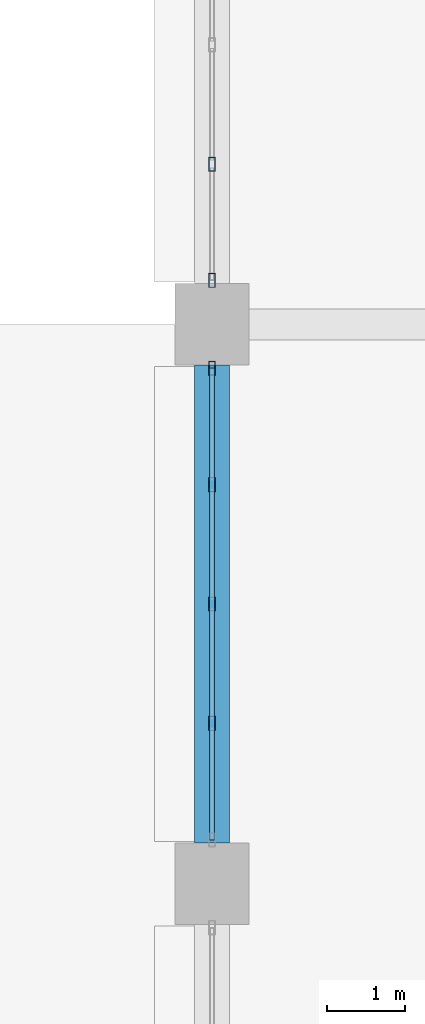
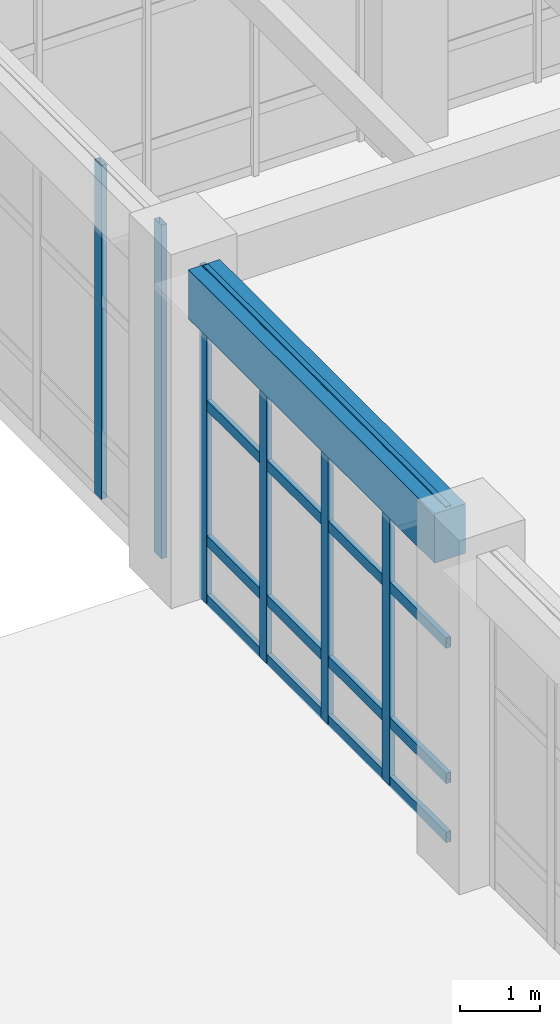
# One storey, part 41 of 160: 10 members, 1 beam, 2 elements without a shape of their own.
"""IFC4 building model written with IfcOpenShell, lengths in metres."""

from ifc_helpers import new_model, si_unit, direction, frame, origin, origin_2d, place, context, subcontext, project, spatial, rectangle, hollow_rectangle, extrude, material, material_profile, profile_set, type_object, element, aggregate, save


model = new_model("IFC4")

# Units and contexts
model_context = context("Model", 3, precision=1e-05, world=origin(), true_north=direction((0.0, 1.0)))
body_context = subcontext(model_context, "Body", "Model", "MODEL_VIEW")
ifc_project = project(units=[si_unit("LENGTHUNIT", "METRE"), si_unit("AREAUNIT", "SQUARE_METRE"), si_unit("VOLUMEUNIT", "CUBIC_METRE"), si_unit("PLANEANGLEUNIT", "RADIAN"), si_unit("MASSUNIT", "GRAM", prefix="KILO")], contexts=[model_context])

# Site, building, storey
site_placement = place(None, origin())
site = spatial("IfcSite", under=ifc_project, at=site_placement, CompositionType="ELEMENT")
building_placement = place(site_placement, origin())
building = spatial("IfcBuilding", under=site, at=building_placement, Name="Thalmaran Polytechnic", CompositionType="ELEMENT")
storey_placement = place(building_placement, origin())
storey = spatial("IfcBuildingStorey", under=building, at=storey_placement, Name="L00", CompositionType="ELEMENT", Elevation=0.0)

# Beam
ifc_material_1 = material(Name="Concrete C40/50", Category="concrete")
ifc_material_profile_1 = material_profile(ifc_material_1, rectangle(XDim=0.449951171875, YDim=0.7548828125, at=origin_2d()), Name="RC 450x755")
ifc_profile_set_1 = profile_set([ifc_material_profile_1], Name="Concrete C40/50")
beam_type = type_object("IfcBeamType", Name="BM-SP02", PredefinedType="SPANDREL", material=ifc_profile_set_1)
beam_placement = place(storey_placement, frame((108.0, 43.72509765625, 4.71240234375), z_axis=(0.0, 1.0, 0.0), x_axis=(-1.0, 0.0, 0.0)))
element("IfcBeam", 1, at=beam_placement, inside=storey, type_object=beam_type, Name="Grid Beam SP02 L00 Y(15,6)", PredefinedType="SPANDREL", context=body_context, shape_type="SweptSolid", body=[
    extrude(rectangle(XDim=0.449951171875, YDim=0.7548828125, at=origin_2d()), origin(), (0.0, 0.0, 1.0), 6.14990234375),
])

# Curtain wall, members
ifc_material_2 = material(Name="Aluminium 6063-T6", Category="aluminium")
curtain_wall_type = type_object("IfcCurtainWallType", Name="CW-UC01", PredefinedType="USERDEFINED", material=ifc_material_2)
curtain_wall_1_placement = place(storey_placement, origin())
curtain_wall_1 = element("IfcCurtainWall", 2, at=curtain_wall_1_placement, inside=storey, type_object=curtain_wall_type, Name="Curtain Wall CW-L00-062", ObjectType="UNITISED CURTAIN WALL", PredefinedType="USERDEFINED")
ifc_material_profile_2 = material_profile(ifc_material_2, hollow_rectangle(XDim=0.080078125, YDim=0.179931640625, WallThickness=0.0048828125, at=origin_2d()), Name="RHS 180x80x5.0")
ifc_profile_set_2 = profile_set([ifc_material_profile_2], Name="Aluminium 6063-T6")
member_type_1 = type_object("IfcMemberType", Name="CW-MUL1", PredefinedType="MULLION", material=ifc_profile_set_2)
member_1_placement = place(storey_placement, frame((108.0, 45.262451171875, 0.0), z_axis=(0.0, 0.0, 1.0), x_axis=(1.0, 0.0, 0.0)))
member_1 = element("IfcMember", 3, at=member_1_placement, type_object=member_type_1, Name="CW-L00-062 Mullion 2", PredefinedType="MULLION", context=body_context, shape_type="SweptSolid", body=[
    extrude(hollow_rectangle(XDim=0.080078125, YDim=0.179931640625, WallThickness=0.0048828125, at=origin_2d()), origin(), (0.0, 0.0, 1.0), 5.090087890625),
])
member_2_placement = place(storey_placement, frame((108.0, 46.800048828125, 0.0), z_axis=(0.0, 0.0, 1.0), x_axis=(1.0, 0.0, 0.0)))
member_2 = element("IfcMember", 4, at=member_2_placement, type_object=member_type_1, Name="CW-L00-062 Mullion 3", PredefinedType="MULLION", context=body_context, shape_type="SweptSolid", body=[
    extrude(hollow_rectangle(XDim=0.080078125, YDim=0.179931640625, WallThickness=0.0048828125, at=origin_2d()), origin(), (0.0, 0.0, 1.0), 5.090087890625),
])
member_3_placement = place(storey_placement, frame((108.0, 48.33740234375, 0.0), z_axis=(0.0, 0.0, 1.0), x_axis=(1.0, 0.0, 0.0)))
member_3 = element("IfcMember", 5, at=member_3_placement, type_object=member_type_1, Name="CW-L00-062 Mullion 4", PredefinedType="MULLION", context=body_context, shape_type="SweptSolid", body=[
    extrude(hollow_rectangle(XDim=0.080078125, YDim=0.179931640625, WallThickness=0.0048828125, at=origin_2d()), origin(), (0.0, 0.0, 1.0), 5.090087890625),
])
member_4_placement = place(storey_placement, frame((108.0, 49.8349609375, 0.0), z_axis=(0.0, 0.0, 1.0), x_axis=(1.0, 0.0, 0.0)))
member_4 = element("IfcMember", 6, at=member_4_placement, type_object=member_type_1, Name="CW-L00-062 Mullion 5", PredefinedType="MULLION", context=body_context, shape_type="SweptSolid", body=[
    extrude(hollow_rectangle(XDim=0.080078125, YDim=0.179931640625, WallThickness=0.0048828125, at=origin_2d()), origin(), (0.0, 0.0, 1.0), 5.090087890625),
])

curtain_wall_2_placement = place(storey_placement, origin())
curtain_wall_2 = element("IfcCurtainWall", 7, at=curtain_wall_2_placement, inside=storey, type_object=curtain_wall_type, Name="Curtain Wall CW-L00-063", ObjectType="UNITISED CURTAIN WALL", PredefinedType="USERDEFINED")
member_5_placement = place(storey_placement, frame((108.0, 50.965087890625, 0.0), z_axis=(0.0, 0.0, 1.0), x_axis=(1.0, 0.0, 0.0)))
member_5 = element("IfcMember", 8, at=member_5_placement, type_object=member_type_1, Name="CW-L00-063 Mullion 1", PredefinedType="MULLION", context=body_context, shape_type="SweptSolid", body=[
    extrude(hollow_rectangle(XDim=0.080078125, YDim=0.179931640625, WallThickness=0.0048828125, at=origin_2d()), origin(), (0.0, 0.0, 1.0), 5.090087890625),
])
member_6_placement = place(storey_placement, frame((108.0, 52.46240234375, 0.0), z_axis=(0.0, 0.0, 1.0), x_axis=(1.0, 0.0, 0.0)))
member_6 = element("IfcMember", 9, at=member_6_placement, type_object=member_type_1, Name="CW-L00-063 Mullion 2", PredefinedType="MULLION", context=body_context, shape_type="SweptSolid", body=[
    extrude(hollow_rectangle(XDim=0.080078125, YDim=0.179931640625, WallThickness=0.0048828125, at=origin_2d()), origin(), (0.0, 0.0, 1.0), 5.090087890625),
])
aggregate(curtain_wall_2, [member_5, member_6])

# Member
ifc_material_profile_3 = material_profile(ifc_material_2, hollow_rectangle(XDim=0.070068359375, YDim=0.159912109375, WallThickness=0.00390625, at=origin_2d()), Name="AL 160x70x4.0")
ifc_profile_set_3 = profile_set([ifc_material_profile_3], Name="Aluminium 6063-T6")
member_type_2 = type_object("IfcMemberType", Name="CW-TRN1", PredefinedType="USERDEFINED", material=ifc_profile_set_3)
member_7_placement = place(storey_placement, frame((108.0, 43.764892578125, 0.06005859375), z_axis=(0.0, 1.0, 0.0), x_axis=(-1.0, 0.0, 0.0)))
member_7 = element("IfcMember", 10, at=member_7_placement, type_object=member_type_2, Name="CW-L00-062 Transom 1", ObjectType="TRANSOM", PredefinedType="USERDEFINED", context=body_context, shape_type="SweptSolid", body=[
    extrude(hollow_rectangle(XDim=0.070068359375, YDim=0.159912109375, WallThickness=0.00390625, at=origin_2d()), origin(), (0.0, 0.0, 1.0), 6.070068359375),
])

member_8_placement = place(storey_placement, frame((108.0, 43.764892578125, 0.9599609375), z_axis=(0.0, 1.0, 0.0), x_axis=(-1.0, 0.0, 0.0)))
member_8 = element("IfcMember", 11, at=member_8_placement, type_object=member_type_2, Name="CW-L00-062 Transom 2", ObjectType="TRANSOM", PredefinedType="USERDEFINED", context=body_context, shape_type="SweptSolid", body=[
    extrude(hollow_rectangle(XDim=0.070068359375, YDim=0.159912109375, WallThickness=0.00390625, at=origin_2d()), origin(), (0.0, 0.0, 1.0), 6.070068359375),
])

member_9_placement = place(storey_placement, frame((108.0, 43.764892578125, 3.02490234375), z_axis=(0.0, 1.0, 0.0), x_axis=(-1.0, 0.0, 0.0)))
member_9 = element("IfcMember", 12, at=member_9_placement, type_object=member_type_2, Name="CW-L00-062 Transom 3", ObjectType="TRANSOM", PredefinedType="USERDEFINED", context=body_context, shape_type="SweptSolid", body=[
    extrude(hollow_rectangle(XDim=0.070068359375, YDim=0.159912109375, WallThickness=0.00390625, at=origin_2d()), origin(), (0.0, 0.0, 1.0), 6.070068359375),
])

member_10_placement = place(storey_placement, frame((108.0, 43.764892578125, 5.030029296875), z_axis=(0.0, 1.0, 0.0), x_axis=(-1.0, 0.0, 0.0)))
member_10 = element("IfcMember", 13, at=member_10_placement, type_object=member_type_2, Name="CW-L00-062 Transom 4", ObjectType="TRANSOM", PredefinedType="USERDEFINED", context=body_context, shape_type="SweptSolid", body=[
    extrude(hollow_rectangle(XDim=0.070068359375, YDim=0.159912109375, WallThickness=0.00390625, at=origin_2d()), origin(), (0.0, 0.0, 1.0), 6.070068359375),
])

aggregate(curtain_wall_1, [member_1, member_2, member_3, member_4, member_7, member_8, member_9, member_10])

save(model, "model.ifc")
